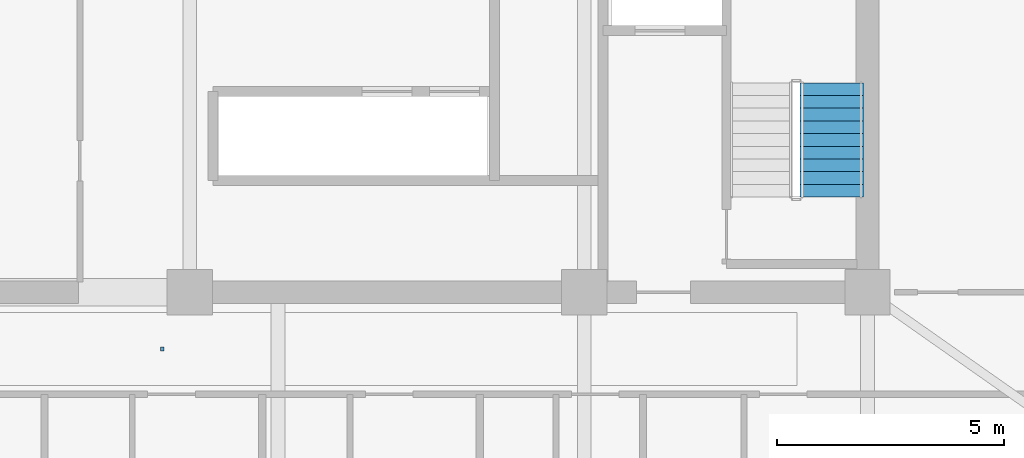
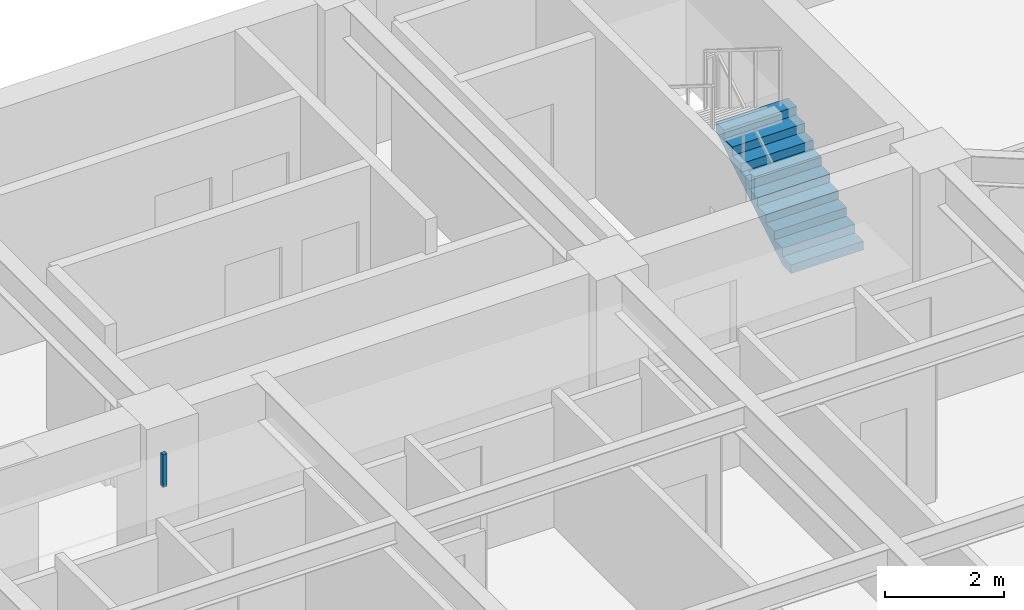
# One storey, part 11 of 15: 1 discrete accessory, 1 stair flight, 1 element without a shape of its own.
"""IFC4 building model written with IfcOpenShell, lengths in metres."""

from ifc_helpers import new_model, si_unit, direction, frame, origin, origin_2d, place, context, subcontext, project, spatial, polyline, rectangle, outline, extrude, source, transform, mapped, material, type_object, element, aggregate, save


model = new_model("IFC4")

# Units and contexts
model_context = context("Model", 3, precision=1e-05, world=origin(), true_north=direction((0.0, 1.0)))
body_context = subcontext(model_context, "Body", "Model", "MODEL_VIEW")
ifc_project = project(units=[si_unit("LENGTHUNIT", "METRE"), si_unit("AREAUNIT", "SQUARE_METRE"), si_unit("VOLUMEUNIT", "CUBIC_METRE"), si_unit("PLANEANGLEUNIT", "RADIAN"), si_unit("MASSUNIT", "GRAM", prefix="KILO")], contexts=[model_context])

# Site, building, storey
site_placement = place(None, origin())
site = spatial("IfcSite", under=ifc_project, at=site_placement, CompositionType="ELEMENT")
building_placement = place(site_placement, origin())
building = spatial("IfcBuilding", under=site, at=building_placement, Name="Giltprow Tower", CompositionType="ELEMENT")
storey_placement = place(building_placement, frame((0.0, 0.0, 149.199951171875)))
storey = spatial("IfcBuildingStorey", under=building, at=storey_placement, Name="L36", CompositionType="ELEMENT", Elevation=149.199951171875)

# Stair, stair flight
ifc_material_1 = material(Name="Concrete C40", Category="concrete")
stair_type = type_object("IfcStairType", Name="STR-ST-3", PredefinedType="HALF_TURN_STAIR", material=ifc_material_1)
stair_placement = place(storey_placement, origin())
stair = element("IfcStair", 1, at=stair_placement, inside=storey, type_object=stair_type, Name="L36 Core Exit Stair ST-3", PredefinedType="HALF_TURN_STAIR")
stair_flight_type = type_object("IfcStairFlightType", Name="SFL-ST-3", PredefinedType="STRAIGHT", material=ifc_material_1)
stair_flight_placement = place(storey_placement, frame((49.760009765625, 39.550048828125, 0.0), z_axis=(0.0, 0.0, 1.0), x_axis=(0.0, 1.0, 0.0)))
stair_flight = element("IfcStairFlight", 2, at=stair_flight_placement, type_object=stair_flight_type, Name="ST-3 flight 1", NumberOfRisers=10, NumberOfTreads=9, PredefinedType="STRAIGHT", RiserHeight=0.175, TreadLength=0.28, context=body_context, shape_type="SweptSolid", body=[
    extrude(outline(polyline([(0.0, 0.0), (0.0, 0.175048828125), (0.280029296875, 0.175048828125), (0.280029296875, 0.35009765625), (0.56005859375, 0.35009765625), (0.56005859375, 0.52490234375), (0.840087890625, 0.52490234375), (0.840087890625, 0.699951171875), (1.1201171875, 0.699951171875), (1.1201171875, 0.875), (1.39990234375, 0.875), (1.39990234375, 1.050048828125), (1.679931640625, 1.050048828125), (1.679931640625, 1.22509765625), (1.9599609375, 1.22509765625), (1.9599609375, 1.39990234375), (2.239990234375, 1.39990234375), (2.239990234375, 1.574951171875), (2.52001953125, 1.574951171875), (2.52001953125, 1.75), (2.52001953125, 1.398193359375), (0.28271484375, 0.0), (0.0, 0.0)])), frame((0.0, 0.699951171875, 0.0), z_axis=(0.0, -1.0, 0.0), x_axis=(1.0, 0.0, 0.0)), (0.0, 0.0, 1.0), 1.39990234375),
])
aggregate(stair, [stair_flight])

# Discrete accessory
ifc_material_2 = material(Name="Structural steel Q355B", Category="steel")
discrete_accessory_type = type_object("IfcDiscreteAccessoryType", Name="ACC-CLG-HANGER", PredefinedType="BRACKET", material=ifc_material_2)
shared_shape = source(origin(), body_context, "Body", "SweptSolid", [
    extrude(rectangle(XDim=0.080078125, YDim=0.080078125, at=origin_2d()), origin(), (0.0, 0.0, 1.0), 0.669921875),
])
discrete_accessory_placement = place(storey_placement, frame((35.0, 36.199951171875, 2.6201171875), z_axis=(0.0, 0.0, 1.0), x_axis=(1.0, 0.0, 0.0)))
element("IfcDiscreteAccessory", 3, at=discrete_accessory_placement, inside=storey, type_object=discrete_accessory_type, Name="L36 Hotel Corridor Gypsum Ceiling Suspension Hanger", PredefinedType="BRACKET", context=body_context, shape_type="MappedRepresentation", body=[
    mapped(shared_shape, transform((0.0, 0.0, 0.0), x_axis=(1.0, 0.0, 0.0), y_axis=(0.0, 1.0, 0.0), z_axis=(0.0, 0.0, 1.0), scale=1.0)),
])

save(model, "model.ifc")
